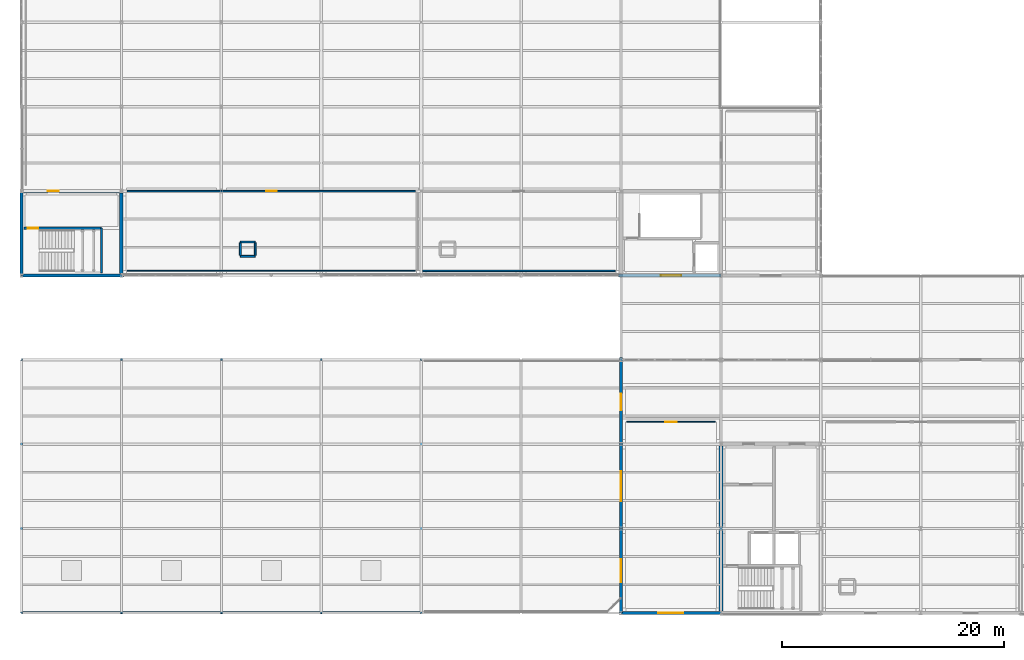
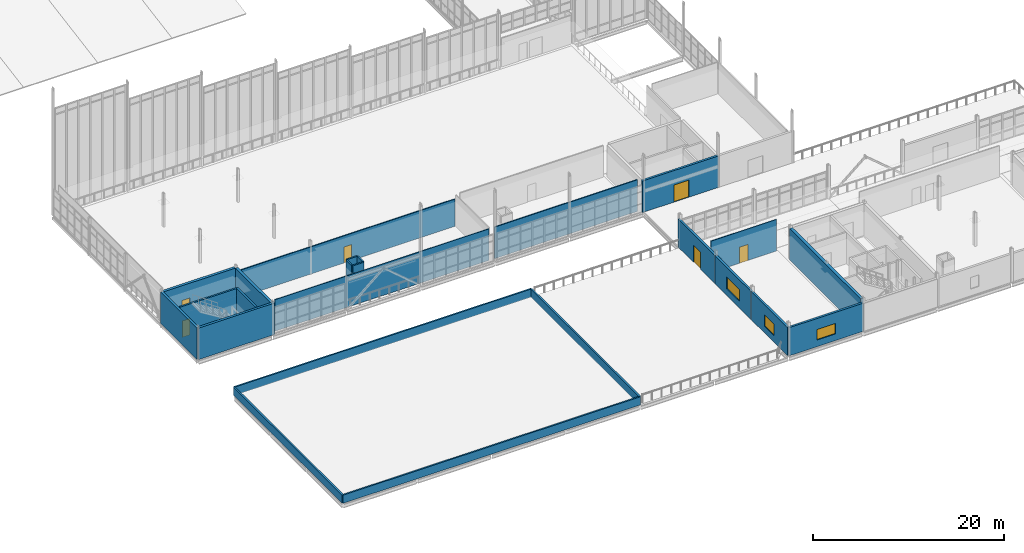
# One storey, part 150 of 166: 24 walls, 6 doors, 3 windows, 9 openings.
"""IFC4 building model written with IfcOpenShell, lengths in metres."""

from ifc_helpers import new_model, si_unit, direction, frame, frame_2d, origin, place, context, subcontext, project, spatial, rectangle, extrude, material, layer, layer_set, type_object, element, fill, save


model = new_model("IFC4")

# Units and contexts
model_context = context("Model", 3, precision=1e-05, world=origin(), true_north=direction((0.0, 1.0)))
body_context = subcontext(model_context, "Body", "Model", "MODEL_VIEW")
ifc_project = project(units=[si_unit("LENGTHUNIT", "METRE"), si_unit("AREAUNIT", "SQUARE_METRE"), si_unit("VOLUMEUNIT", "CUBIC_METRE"), si_unit("PLANEANGLEUNIT", "RADIAN"), si_unit("MASSUNIT", "GRAM", prefix="KILO")], contexts=[model_context])

# Site, building, storey
site_placement = place(None, origin())
site = spatial("IfcSite", under=ifc_project, at=site_placement, CompositionType="ELEMENT")
building_placement = place(site_placement, origin())
building = spatial("IfcBuilding", under=site, at=building_placement, Name="Caisbarro Railhouse Central Library", CompositionType="ELEMENT")
storey_placement = place(building_placement, frame((0.0, 0.0, 9.360107421875)))
storey = spatial("IfcBuildingStorey", under=building, at=storey_placement, Name="L02", CompositionType="ELEMENT", Elevation=9.360107421875)

# Wall, opening, door
ifc_material_1 = material(Name="Concrete C40", Category="concrete")
ifc_layer_1 = layer(ifc_material_1, 0.320068359375, Name="Concrete C40")
ifc_layer_set_1 = layer_set([ifc_layer_1], Name="Concrete C40")
wall_type_1 = type_object("IfcWallType", Name="WAL-CW32", PredefinedType="SHEAR", material=ifc_layer_set_1)
wall_1_placement = place(storey_placement, frame((0.159912109375, 38.0, 0.0), z_axis=(0.0, 0.0, 1.0), x_axis=(1.0, 0.0, 0.0)))
wall_1 = element("IfcWall", 1, at=wall_1_placement, inside=storey, type_object=wall_type_1, Name="CW32 RC core shear wall L02 #86", PredefinedType="SHEAR", context=body_context, shape_type="SweptSolid", body=[
    extrude(rectangle(XDim=8.68017578125, YDim=0.320068359375, at=frame_2d((4.340087890625, 0.0))), origin(), (0.0, 0.0, 1.0), 4.039794921875),
])
opening_1_placement = place(wall_1_placement, frame((2.199951171875, 0.0, 0.0)))
opening_1 = element("IfcOpeningElement", 2, at=opening_1_placement, cuts=wall_1, Name="Opening FD05", PredefinedType="OPENING", context=body_context, shape_type="SweptSolid", body=[
    extrude(rectangle(XDim=1.0, YDim=2.14990234375, at=frame_2d((0.5, 1.074951171875))), frame((0.0, 0.169921875, 0.0), z_axis=(0.0, -1.0, 0.0), x_axis=(1.0, 0.0, 0.0)), (0.0, 0.0, 1.0), 0.340087890625),
])
ifc_material_2 = material(Name="Fire-rated painted galvanised steel", Category="steel")
door_type_1 = type_object("IfcDoorType", Name="DR-FD05", OperationType="NOTDEFINED", PredefinedType="DOOR", material=ifc_material_2)
door_1_placement = place(opening_1_placement, origin())
door_1 = element("IfcDoor", 3, at=door_1_placement, inside=storey, type_object=door_type_1, Name="Core K6 Lobby Door FD05 L02-124", OperationType="SINGLE_SWING_LEFT", OverallHeight=2.14990234375, OverallWidth=1.0, PredefinedType="DOOR", context=body_context, shape_type="SweptSolid", body=[
    extrude(rectangle(XDim=1.0, YDim=2.14990234375, at=frame_2d((0.5, 1.074951171875))), frame((0.0, 0.02490234375, 0.0), z_axis=(0.0, -1.0, 0.0), x_axis=(1.0, 0.0, 0.0)), (0.0, 0.0, 1.0), 0.050048828125),
])
fill(opening_1, door_1)

# Walls
wall_2_placement = place(storey_placement, frame((9.0, 30.56005859375, 0.0), z_axis=(0.0, 0.0, 1.0), x_axis=(0.0, 1.0, 0.0)))
element("IfcWall", 4, at=wall_2_placement, inside=storey, type_object=wall_type_1, Name="CW32 RC core shear wall L02 #87", PredefinedType="SHEAR", context=body_context, shape_type="SweptSolid", body=[
    extrude(rectangle(XDim=7.280029296875, YDim=0.320068359375, at=frame_2d((3.64013671875, 0.0))), origin(), (0.0, 0.0, 1.0), 4.039794921875),
])
ifc_layer_2 = layer(ifc_material_1, 0.35009765625, Name="Concrete C40")
ifc_layer_set_2 = layer_set([ifc_layer_2], Name="Concrete C40")
wall_type_2 = type_object("IfcWallType", Name="WAL-CW35", PredefinedType="SHEAR", material=ifc_layer_set_2)
wall_3_placement = place(storey_placement, frame((63.0, 0.159912109375, 0.0), z_axis=(0.0, 0.0, 1.0), x_axis=(0.0, 1.0, 0.0)))
element("IfcWall", 5, at=wall_3_placement, inside=storey, type_object=wall_type_2, Name="CW35 RC core shear wall L02 #11", PredefinedType="SHEAR", context=body_context, shape_type="SweptSolid", body=[
    extrude(rectangle(XDim=14.880126953125, YDim=0.35009765625, at=frame_2d((7.43994140625, 0.0))), origin(), (0.0, 0.0, 1.0), 4.039794921875),
])

# Wall, opening, door
ifc_material_3 = material(Name="Concrete C35 insulated architectural precast", Category="concrete")
ifc_layer_3 = layer(ifc_material_3, 0.260009765625, Name="Concrete C35 insulated architectural precast")
ifc_layer_set_3 = layer_set([ifc_layer_3], Name="Concrete C35 insulated architectural precast")
wall_type_3 = type_object("IfcWallType", Name="WAL-EW26", PredefinedType="STANDARD", material=ifc_layer_set_3)
wall_4_placement = place(storey_placement, frame((53.7900390625, 30.39990234375, 0.0), z_axis=(0.0, 0.0, 1.0), x_axis=(1.0, 0.0, 0.0)))
wall_4 = element("IfcWall", 6, at=wall_4_placement, inside=storey, type_object=wall_type_3, Name="EW26 exterior wall L02 #35", PredefinedType="STANDARD", context=body_context, shape_type="SweptSolid", body=[
    extrude(rectangle(XDim=9.2099609375, YDim=0.260009765625, at=frame_2d((4.60498046875, 0.0))), origin(), (0.0, 0.0, 1.0), 4.039794921875),
])
opening_2_placement = place(wall_4_placement, frame((3.800048828125, 0.0, 0.0)))
opening_2 = element("IfcOpeningElement", 7, at=opening_2_placement, cuts=wall_4, Name="Opening TD01", PredefinedType="OPENING", context=body_context, shape_type="SweptSolid", body=[
    extrude(rectangle(XDim=1.820068359375, YDim=2.199951171875, at=frame_2d((0.91015625, 1.10009765625))), frame((0.0, 0.14013671875, 0.0), z_axis=(0.0, -1.0, 0.0), x_axis=(1.0, 0.0, 0.0)), (0.0, 0.0, 1.0), 0.280029296875),
])
ifc_material_4 = material(Name="Thermally broken anodised aluminium and safety glass", Category="aluminium")
door_type_2 = type_object("IfcDoorType", Name="DR-TD01", OperationType="NOTDEFINED", PredefinedType="DOOR", material=ifc_material_4)
door_2_placement = place(opening_2_placement, frame((1.820068359375, 0.0, 0.0), z_axis=(0.0, 0.0, 1.0), x_axis=(-1.0, 0.0, 0.0)))
door_2 = element("IfcDoor", 8, at=door_2_placement, inside=storey, type_object=door_type_2, Name="Terrace Door TD01 L02-08", OperationType="SINGLE_SWING_LEFT", OverallHeight=2.199951171875, OverallWidth=1.820068359375, PredefinedType="DOOR", context=body_context, shape_type="SweptSolid", body=[
    extrude(rectangle(XDim=1.820068359375, YDim=2.199951171875, at=frame_2d((0.91015625, 1.10009765625))), frame((0.0, 0.02490234375, 0.0), z_axis=(0.0, -1.0, 0.0), x_axis=(1.0, 0.0, 0.0)), (0.0, 0.0, 1.0), 0.050048828125),
])
fill(opening_2, door_2)

# Wall, opening, window
wall_5_placement = place(storey_placement, frame((54.0, 0.0, 0.0), z_axis=(0.0, 0.0, 1.0), x_axis=(1.0, 0.0, 0.0)))
wall_5 = element("IfcWall", 9, at=wall_5_placement, inside=storey, type_object=wall_type_3, Name="EW26 exterior wall L02 #92", PredefinedType="STANDARD", context=body_context, shape_type="SweptSolid", body=[
    extrude(rectangle(XDim=9.0, YDim=0.260009765625, at=frame_2d((4.5, 0.0))), origin(), (0.0, 0.0, 1.0), 3.61083984375),
])
opening_3_placement = place(wall_5_placement, frame((3.375, 0.0, 0.85009765625)))
opening_3 = element("IfcOpeningElement", 10, at=opening_3_placement, cuts=wall_5, Name="Opening W17", PredefinedType="OPENING", context=body_context, shape_type="SweptSolid", body=[
    extrude(rectangle(XDim=2.25, YDim=1.35009765625, at=frame_2d((1.125, 0.675048828125))), frame((0.0, 0.14013671875, 0.0), z_axis=(0.0, -1.0, 0.0), x_axis=(1.0, 0.0, 0.0)), (0.0, 0.0, 1.0), 0.280029296875),
])
ifc_material_5 = material(Name="Double low-e laminated solar-control glass", Category="glass")
window_type_1 = type_object("IfcWindowType", Name="WIN-W17", PartitioningType="SINGLE_PANEL", PredefinedType="WINDOW", material=ifc_material_5)
window_1_placement = place(opening_3_placement, origin())
window_1 = element("IfcWindow", 11, at=window_1_placement, inside=storey, type_object=window_type_1, Name="W17 window L02-018", OverallHeight=1.35009765625, OverallWidth=2.25, PartitioningType="SINGLE_PANEL", PredefinedType="WINDOW", context=body_context, shape_type="SweptSolid", body=[
    extrude(rectangle(XDim=2.25, YDim=1.35009765625, at=frame_2d((1.125, 0.675048828125))), frame((0.0, 0.030029296875, 0.0), z_axis=(0.0, -1.0, 0.0), x_axis=(1.0, 0.0, 0.0)), (0.0, 0.0, 1.0), 0.06005859375),
])
fill(opening_3, window_1)

wall_6_placement = place(storey_placement, frame((54.0, 0.0, 0.0), z_axis=(0.0, 0.0, 1.0), x_axis=(0.0, 1.0, 0.0)))
wall_6 = element("IfcWall", 12, at=wall_6_placement, inside=storey, type_object=wall_type_3, Name="EW26 exterior wall L02 #100", PredefinedType="STANDARD", context=body_context, shape_type="SweptSolid", body=[
    extrude(rectangle(XDim=7.60009765625, YDim=0.260009765625, at=frame_2d((3.800048828125, 0.0))), origin(), (0.0, 0.0, 1.0), 3.598876953125),
])
opening_4_placement = place(wall_6_placement, frame((2.77490234375, 0.0, 0.85009765625)))
opening_4 = element("IfcOpeningElement", 13, at=opening_4_placement, cuts=wall_6, Name="Opening W24", PredefinedType="OPENING", context=body_context, shape_type="SweptSolid", body=[
    extrude(rectangle(XDim=2.050048828125, YDim=1.5, at=frame_2d((1.02490234375, 0.75))), frame((0.0, 0.14013671875, 0.0), z_axis=(0.0, -1.0, 0.0), x_axis=(1.0, 0.0, 0.0)), (0.0, 0.0, 1.0), 0.280029296875),
])
window_type_2 = type_object("IfcWindowType", Name="WIN-W24", PartitioningType="SINGLE_PANEL", PredefinedType="WINDOW", material=ifc_material_5)
window_2_placement = place(opening_4_placement, origin())
window_2 = element("IfcWindow", 14, at=window_2_placement, inside=storey, type_object=window_type_2, Name="W24 window L02-023", OverallHeight=1.5, OverallWidth=2.050048828125, PartitioningType="SINGLE_PANEL", PredefinedType="WINDOW", context=body_context, shape_type="SweptSolid", body=[
    extrude(rectangle(XDim=2.050048828125, YDim=1.5, at=frame_2d((1.02490234375, 0.75))), frame((0.0, 0.030029296875, 0.0), z_axis=(0.0, -1.0, 0.0), x_axis=(1.0, 0.0, 0.0)), (0.0, 0.0, 1.0), 0.06005859375),
])
fill(opening_4, window_2)

wall_7_placement = place(storey_placement, frame((54.0, 7.60009765625, 0.0), z_axis=(0.0, 0.0, 1.0), x_axis=(0.0, 1.0, 0.0)))
wall_7 = element("IfcWall", 15, at=wall_7_placement, inside=storey, type_object=wall_type_3, Name="EW26 exterior wall L02 #102", PredefinedType="STANDARD", context=body_context, shape_type="SweptSolid", body=[
    extrude(rectangle(XDim=7.599853515625, YDim=0.260009765625, at=frame_2d((3.7998046875, 0.0))), origin(), (0.0, 0.0, 1.0), 3.598876953125),
])
opening_5_placement = place(wall_7_placement, frame((2.449951171875, 0.0, 0.85009765625)))
opening_5 = element("IfcOpeningElement", 16, at=opening_5_placement, cuts=wall_7, Name="Opening W26", PredefinedType="OPENING", context=body_context, shape_type="SweptSolid", body=[
    extrude(rectangle(XDim=2.699951171875, YDim=1.5, at=frame_2d((1.35009765625, 0.75))), frame((0.0, 0.14013671875, 0.0), z_axis=(0.0, -1.0, 0.0), x_axis=(1.0, 0.0, 0.0)), (0.0, 0.0, 1.0), 0.280029296875),
])
window_type_3 = type_object("IfcWindowType", Name="WIN-W26", PartitioningType="SINGLE_PANEL", PredefinedType="WINDOW", material=ifc_material_5)
window_3_placement = place(opening_5_placement, origin())
window_3 = element("IfcWindow", 17, at=window_3_placement, inside=storey, type_object=window_type_3, Name="W26 window L02-025", OverallHeight=1.5, OverallWidth=2.699951171875, PartitioningType="SINGLE_PANEL", PredefinedType="WINDOW", context=body_context, shape_type="SweptSolid", body=[
    extrude(rectangle(XDim=2.699951171875, YDim=1.5, at=frame_2d((1.35009765625, 0.75))), frame((0.0, 0.030029296875, 0.0), z_axis=(0.0, -1.0, 0.0), x_axis=(1.0, 0.0, 0.0)), (0.0, 0.0, 1.0), 0.06005859375),
])
fill(opening_5, window_3)

# Wall, opening, door
wall_8_placement = place(storey_placement, frame((54.0, 15.199951171875, 0.0), z_axis=(0.0, 0.0, 1.0), x_axis=(0.0, 1.0, 0.0)))
wall_8 = element("IfcWall", 18, at=wall_8_placement, inside=storey, type_object=wall_type_3, Name="EW26 exterior wall L02 #104", PredefinedType="STANDARD", context=body_context, shape_type="SweptSolid", body=[
    extrude(rectangle(XDim=7.81005859375, YDim=0.260009765625, at=frame_2d((3.905029296875, 0.0))), origin(), (0.0, 0.0, 1.0), 3.598876953125),
])
opening_6_placement = place(wall_8_placement, frame((3.050048828125, 0.0, 0.0)))
opening_6 = element("IfcOpeningElement", 19, at=opening_6_placement, cuts=wall_8, Name="Opening TD02", PredefinedType="OPENING", context=body_context, shape_type="SweptSolid", body=[
    extrude(rectangle(XDim=1.5, YDim=2.179931640625, at=frame_2d((0.75, 1.08984375))), frame((0.0, 0.14013671875, 0.0), z_axis=(0.0, -1.0, 0.0), x_axis=(1.0, 0.0, 0.0)), (0.0, 0.0, 1.0), 0.280029296875),
])
door_type_3 = type_object("IfcDoorType", Name="DR-TD02", OperationType="NOTDEFINED", PredefinedType="DOOR", material=ifc_material_4)
door_3_placement = place(opening_6_placement, origin())
door_3 = element("IfcDoor", 20, at=door_3_placement, inside=storey, type_object=door_type_3, Name="Terrace Door TD02 L02-22", OperationType="SINGLE_SWING_RIGHT", OverallHeight=2.179931640625, OverallWidth=1.5, PredefinedType="DOOR", context=body_context, shape_type="SweptSolid", body=[
    extrude(rectangle(XDim=1.5, YDim=2.179931640625, at=frame_2d((0.75, 1.08984375))), frame((0.0, 0.02490234375, 0.0), z_axis=(0.0, -1.0, 0.0), x_axis=(1.0, 0.0, 0.0)), (0.0, 0.0, 1.0), 0.050048828125),
])
fill(opening_6, door_3)

# Walls
ifc_layer_4 = layer(ifc_material_1, 0.280029296875, Name="Concrete C40")
ifc_layer_set_4 = layer_set([ifc_layer_4], Name="Concrete C40")
wall_type_4 = type_object("IfcWallType", Name="WAL-EW28", PredefinedType="SOLIDWALL", material=ifc_layer_set_4)
wall_9_placement = place(storey_placement, frame((0.0, 30.39990234375, 0.0), z_axis=(0.0, 0.0, 1.0), x_axis=(0.0, 1.0, 0.0)))
element("IfcWall", 21, at=wall_9_placement, inside=storey, type_object=wall_type_4, Name="EW28 exterior wall L02 #33", PredefinedType="SOLIDWALL", context=body_context, shape_type="SweptSolid", body=[
    extrude(rectangle(XDim=7.60009765625, YDim=0.280029296875, at=frame_2d((3.800048828125, 0.0))), origin(), (0.0, 0.0, 1.0), 4.039794921875),
])
wall_10_placement = place(storey_placement, frame((0.0, 30.39990234375, 0.0), z_axis=(0.0, 0.0, 1.0), x_axis=(1.0, 0.0, 0.0)))
element("IfcWall", 22, at=wall_10_placement, inside=storey, type_object=wall_type_4, Name="EW28 exterior wall L02 #34", PredefinedType="SOLIDWALL", context=body_context, shape_type="SweptSolid", body=[
    extrude(rectangle(XDim=9.2099609375, YDim=0.280029296875, at=frame_2d((4.60498046875, 0.0))), origin(), (0.0, 0.0, 1.0), 4.039794921875),
])
ifc_material_6 = material(Name="Acoustic gypsum board on galvanised steel studs", Category="steel")
ifc_layer_5 = layer(ifc_material_6, 0.090087890625, Name="Acoustic gypsum board on galvanised steel studs")
ifc_layer_set_5 = layer_set([ifc_layer_5], Name="Acoustic gypsum board on galvanised steel studs")
wall_type_5 = type_object("IfcWallType", Name="WAL-IW09", PredefinedType="PARTITIONING", material=ifc_layer_set_5)
wall_11_placement = place(storey_placement, frame((9.52001953125, 30.800048828125, 0.0), z_axis=(0.0, 0.0, 1.0), x_axis=(1.0, 0.0, 0.0)))
element("IfcWall", 23, at=wall_11_placement, inside=storey, type_object=wall_type_5, Name="IW09 partition wall L02 #475", PredefinedType="PARTITIONING", context=body_context, shape_type="SweptSolid", body=[
    extrude(rectangle(XDim=25.9599609375, YDim=0.090087890625, at=frame_2d((12.97998046875, 0.0))), origin(), (0.0, 0.0, 1.0), 4.039794921875),
])

# Wall, opening, door
wall_12_placement = place(storey_placement, frame((54.52001953125, 17.199951171875, 0.0), z_axis=(0.0, 0.0, 1.0), x_axis=(1.0, 0.0, 0.0)))
wall_12 = element("IfcWall", 24, at=wall_12_placement, inside=storey, type_object=wall_type_5, Name="IW09 partition wall L02 #479", PredefinedType="PARTITIONING", context=body_context, shape_type="SweptSolid", body=[
    extrude(rectangle(XDim=7.9599609375, YDim=0.090087890625, at=frame_2d((3.97998046875, 0.0))), origin(), (0.0, 0.0, 1.0), 4.039794921875),
])
opening_7_placement = place(wall_12_placement, frame((3.4599609375, 0.0, 0.0)))
opening_7 = element("IfcOpeningElement", 25, at=opening_7_placement, cuts=wall_12, Name="Opening ID05", PredefinedType="OPENING", context=body_context, shape_type="SweptSolid", body=[
    extrude(rectangle(XDim=1.0400390625, YDim=2.06005859375, at=frame_2d((0.52001953125, 1.030029296875))), frame((0.0, 0.05517578125, 0.0), z_axis=(0.0, -1.0, 0.0), x_axis=(1.0, 0.0, 0.0)), (0.0, 0.0, 1.0), 0.110107421875),
])
ifc_material_7 = material(Name="Solid-core tropical hardwood veneer", Category="wood")
door_type_4 = type_object("IfcDoorType", Name="DR-ID05", OperationType="NOTDEFINED", PredefinedType="DOOR", material=ifc_material_7)
door_4_placement = place(opening_7_placement, origin())
door_4 = element("IfcDoor", 26, at=door_4_placement, inside=storey, type_object=door_type_4, Name="Architecture and Art Folio Room Door ID05 L02-280", OperationType="SINGLE_SWING_RIGHT", OverallHeight=2.06005859375, OverallWidth=1.0400390625, PredefinedType="DOOR", context=body_context, shape_type="SweptSolid", body=[
    extrude(rectangle(XDim=1.0400390625, YDim=2.06005859375, at=frame_2d((0.52001953125, 1.030029296875))), frame((0.0, 0.02490234375, 0.0), z_axis=(0.0, -1.0, 0.0), x_axis=(1.0, 0.0, 0.0)), (0.0, 0.0, 1.0), 0.050048828125),
])
fill(opening_7, door_4)

ifc_layer_6 = layer(ifc_material_6, 0.1298828125, Name="Acoustic gypsum board on galvanised steel studs")
ifc_layer_set_6 = layer_set([ifc_layer_6], Name="Acoustic gypsum board on galvanised steel studs")
wall_type_6 = type_object("IfcWallType", Name="WAL-IW13", PredefinedType="PARTITIONING", material=ifc_layer_set_6)
wall_13_placement = place(storey_placement, frame((9.52001953125, 38.0, 0.0), z_axis=(0.0, 0.0, 1.0), x_axis=(1.0, 0.0, 0.0)))
wall_13 = element("IfcWall", 27, at=wall_13_placement, inside=storey, type_object=wall_type_6, Name="IW13 partition wall L02 #473", PredefinedType="PARTITIONING", context=body_context, shape_type="SweptSolid", body=[
    extrude(rectangle(XDim=25.9599609375, YDim=0.1298828125, at=frame_2d((12.97998046875, 0.0))), origin(), (0.0, 0.0, 1.0), 3.47998046875),
])
opening_8_placement = place(wall_13_placement, frame((12.510009765625, 0.0, 0.0)))
opening_8 = element("IfcOpeningElement", 28, at=opening_8_placement, cuts=wall_13, Name="Opening ID03", PredefinedType="OPENING", context=body_context, shape_type="SweptSolid", body=[
    extrude(rectangle(XDim=0.93994140625, YDim=2.06005859375, at=frame_2d((0.469970703125, 1.030029296875))), frame((0.0, 0.074951171875, 0.0), z_axis=(0.0, -1.0, 0.0), x_axis=(1.0, 0.0, 0.0)), (0.0, 0.0, 1.0), 0.14990234375),
])
door_type_5 = type_object("IfcDoorType", Name="DR-ID03", OperationType="NOTDEFINED", PredefinedType="DOOR", material=ifc_material_7)
door_5_placement = place(opening_8_placement, origin())
door_5 = element("IfcDoor", 29, at=door_5_placement, inside=storey, type_object=door_type_5, Name="Silent Research Alcove South Door ID03 L02-278", OperationType="SINGLE_SWING_RIGHT", OverallHeight=2.06005859375, OverallWidth=0.93994140625, PredefinedType="DOOR", context=body_context, shape_type="SweptSolid", body=[
    extrude(rectangle(XDim=0.93994140625, YDim=2.06005859375, at=frame_2d((0.469970703125, 1.030029296875))), frame((0.0, 0.02490234375, 0.0), z_axis=(0.0, -1.0, 0.0), x_axis=(1.0, 0.0, 0.0)), (0.0, 0.0, 1.0), 0.050048828125),
])
fill(opening_8, door_5)

# Walls
wall_14_placement = place(storey_placement, frame((36.1201171875, 30.800048828125, 0.0), z_axis=(0.0, 0.0, 1.0), x_axis=(1.0, 0.0, 0.0)))
element("IfcWall", 30, at=wall_14_placement, inside=storey, type_object=wall_type_6, Name="IW13 partition wall L02 #537", PredefinedType="PARTITIONING", context=body_context, shape_type="SweptSolid", body=[
    extrude(rectangle(XDim=17.35986328125, YDim=0.1298828125, at=frame_2d((8.679931640625, 0.0))), origin(), (0.0, 0.0, 1.0), 4.039794921875),
])
ifc_material_8 = material(Name="Plastered cellular concrete masonry", Category="masonry")
ifc_layer_7 = layer(ifc_material_8, 0.169921875, Name="Plastered cellular concrete masonry")
ifc_layer_set_7 = layer_set([ifc_layer_7], Name="Plastered cellular concrete masonry")
wall_type_7 = type_object("IfcWallType", Name="WAL-IW17", PredefinedType="PARTITIONING", material=ifc_layer_set_7)
wall_15_placement = place(storey_placement, frame((19.7099609375, 32.110107421875, 0.0), z_axis=(0.0, 0.0, 1.0), x_axis=(1.0, 0.0, 0.0)))
element("IfcWall", 31, at=wall_15_placement, inside=storey, type_object=wall_type_7, Name="IW17 partition wall L02 #211", PredefinedType="PARTITIONING", context=body_context, shape_type="SweptSolid", body=[
    extrude(rectangle(XDim=1.340087890625, YDim=0.169921875, at=frame_2d((0.669921875, 0.0))), origin(), (0.0, 0.0, 1.0), 4.039794921875),
])
wall_16_placement = place(storey_placement, frame((21.050048828125, 32.199951171875, 0.0), z_axis=(0.0, 0.0, 1.0), x_axis=(0.0, 1.0, 0.0)))
element("IfcWall", 32, at=wall_16_placement, inside=storey, type_object=wall_type_7, Name="IW17 partition wall L02 #212", PredefinedType="PARTITIONING", context=body_context, shape_type="SweptSolid", body=[
    extrude(rectangle(XDim=1.1201171875, YDim=0.169921875, at=frame_2d((0.56005859375, 0.0))), origin(), (0.0, 0.0, 1.0), 4.039794921875),
])
wall_17_placement = place(storey_placement, frame((21.050048828125, 33.409912109375, 0.0), z_axis=(0.0, 0.0, 1.0), x_axis=(-1.0, 0.0, 0.0)))
element("IfcWall", 33, at=wall_17_placement, inside=storey, type_object=wall_type_7, Name="IW17 partition wall L02 #213", PredefinedType="PARTITIONING", context=body_context, shape_type="SweptSolid", body=[
    extrude(rectangle(XDim=1.340087890625, YDim=0.169921875, at=frame_2d((0.669921875, 0.0))), origin(), (0.0, 0.0, 1.0), 4.039794921875),
])
wall_18_placement = place(storey_placement, frame((19.7099609375, 33.320068359375, 0.0), z_axis=(0.0, 0.0, 1.0), x_axis=(0.0, -1.0, 0.0)))
element("IfcWall", 34, at=wall_18_placement, inside=storey, type_object=wall_type_7, Name="IW17 partition wall L02 #214", PredefinedType="PARTITIONING", context=body_context, shape_type="SweptSolid", body=[
    extrude(rectangle(XDim=1.1201171875, YDim=0.169921875, at=frame_2d((0.56005859375, 0.0))), origin(), (0.0, 0.0, 1.0), 4.039794921875),
])

# Wall, opening, door
ifc_layer_8 = layer(ifc_material_1, 0.2099609375, Name="Concrete C40")
ifc_layer_set_8 = layer_set([ifc_layer_8], Name="Concrete C40")
wall_type_8 = type_object("IfcWallType", Name="WAL-SW21", PredefinedType="SOLIDWALL", material=ifc_layer_set_8)
wall_19_placement = place(storey_placement, frame((0.199951171875, 34.64990234375, 0.0), z_axis=(0.0, 0.0, 1.0), x_axis=(1.0, 0.0, 0.0)))
wall_19 = element("IfcWall", 35, at=wall_19_placement, inside=storey, type_object=wall_type_8, Name="SW21 core shaft wall L02 #147", PredefinedType="SOLIDWALL", context=body_context, shape_type="SweptSolid", body=[
    extrude(rectangle(XDim=7.0, YDim=0.2099609375, at=frame_2d((3.5, 0.0))), origin(), (0.0, 0.0, 1.0), 4.039794921875),
])
opening_9_placement = place(wall_19_placement, frame((0.35009765625, 0.0, 0.0)))
opening_9 = element("IfcOpeningElement", 36, at=opening_9_placement, cuts=wall_19, Name="Opening FD01", PredefinedType="OPENING", context=body_context, shape_type="SweptSolid", body=[
    extrude(rectangle(XDim=0.949951171875, YDim=2.1201171875, at=frame_2d((0.47509765625, 1.06005859375))), frame((0.0, 0.114990234375, 0.0), z_axis=(0.0, -1.0, 0.0), x_axis=(1.0, 0.0, 0.0)), (0.0, 0.0, 1.0), 0.22998046875),
])
door_type_6 = type_object("IfcDoorType", Name="DR-FD01", OperationType="NOTDEFINED", PredefinedType="DOOR", material=ifc_material_2)
door_6_placement = place(opening_9_placement, origin())
door_6 = element("IfcDoor", 37, at=door_6_placement, inside=storey, type_object=door_type_6, Name="Stair ST-06 Fire Door FD01 L02-123", OperationType="SINGLE_SWING_RIGHT", OverallHeight=2.1201171875, OverallWidth=0.949951171875, PredefinedType="DOOR", context=body_context, shape_type="SweptSolid", body=[
    extrude(rectangle(XDim=0.949951171875, YDim=2.1201171875, at=frame_2d((0.47509765625, 1.06005859375))), frame((0.0, 0.02490234375, 0.0), z_axis=(0.0, -1.0, 0.0), x_axis=(1.0, 0.0, 0.0)), (0.0, 0.0, 1.0), 0.050048828125),
])
fill(opening_9, door_6)

# Walls
wall_20_placement = place(storey_placement, frame((7.199951171875, 30.60009765625, 0.0), z_axis=(0.0, 0.0, 1.0), x_axis=(0.0, 1.0, 0.0)))
element("IfcWall", 38, at=wall_20_placement, inside=storey, type_object=wall_type_8, Name="SW21 core shaft wall L02 #148", PredefinedType="SOLIDWALL", context=body_context, shape_type="SweptSolid", body=[
    extrude(rectangle(XDim=4.0498046875, YDim=0.2099609375, at=frame_2d((2.02490234375, 0.0))), origin(), (0.0, 0.0, 1.0), 4.039794921875),
])
ifc_material_9 = material(Name="Concrete C35", Category="concrete")
ifc_layer_9 = layer(ifc_material_9, 0.179931640625, Name="Concrete C35")
ifc_layer_set_9 = layer_set([ifc_layer_9], Name="Concrete C35")
wall_type_9 = type_object("IfcWallType", Name="WAL-WP18", PredefinedType="PARAPET", material=ifc_layer_set_9)
for number, where, z_axis, x_axis, name in (
    (39, (0.0, 0.0, 0.0), (0.0, 0.0, 1.0), (1.0, 0.0, 0.0), "WP18 roof parapet L02-1"),
    (40, (36.0, 22.800048828125, 0.0), (0.0, 0.0, 1.0), (-1.0, 0.0, 0.0), "WP18 roof parapet L02-3"),
):
    element("IfcWall", number, at=place(storey_placement, frame(where, z_axis=z_axis, x_axis=x_axis)), inside=storey, type_object=wall_type_9, Name=name, PredefinedType="PARAPET", context=body_context, shape_type="SweptSolid", body=[
        extrude(rectangle(XDim=36.0, YDim=0.179931640625, at=frame_2d((18.0, 0.0))), origin(), (0.0, 0.0, 1.0), 1.0498046875),
    ])
ifc_layer_10 = layer(ifc_material_9, 0.199951171875, Name="Concrete C35")
ifc_layer_set_10 = layer_set([ifc_layer_10], Name="Concrete C35")
wall_type_10 = type_object("IfcWallType", Name="WAL-WP20", PredefinedType="PARAPET", material=ifc_layer_set_10)
for number, where, z_axis, x_axis, name in (
    (41, (36.0, 0.0, 0.0), (0.0, 0.0, 1.0), (0.0, 1.0, 0.0), "WP20 roof parapet L02-2"),
    (42, (0.0, 22.800048828125, 0.0), (0.0, 0.0, 1.0), (0.0, -1.0, 0.0), "WP20 roof parapet L02-4"),
):
    element("IfcWall", number, at=place(storey_placement, frame(where, z_axis=z_axis, x_axis=x_axis)), inside=storey, type_object=wall_type_10, Name=name, PredefinedType="PARAPET", context=body_context, shape_type="SweptSolid", body=[
        extrude(rectangle(XDim=22.800048828125, YDim=0.199951171875, at=frame_2d((11.39990234375, 0.0))), origin(), (0.0, 0.0, 1.0), 1.0498046875),
    ])

save(model, "model.ifc")
